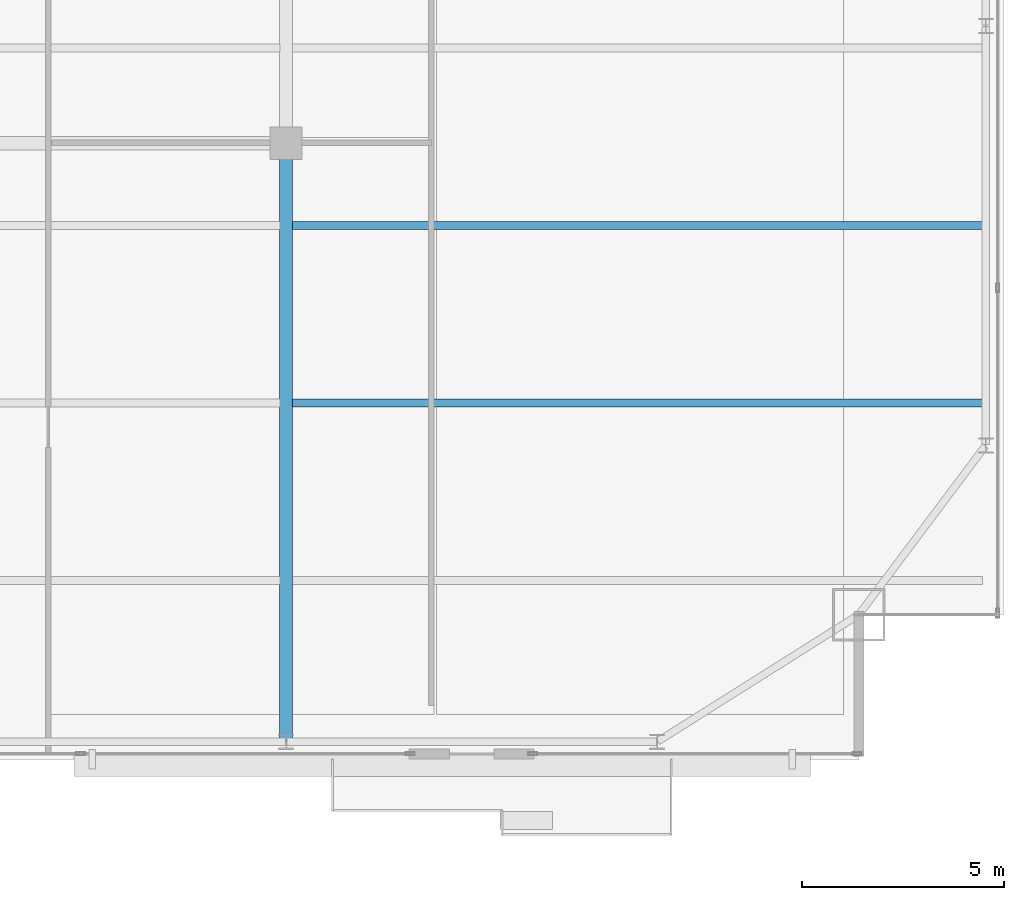
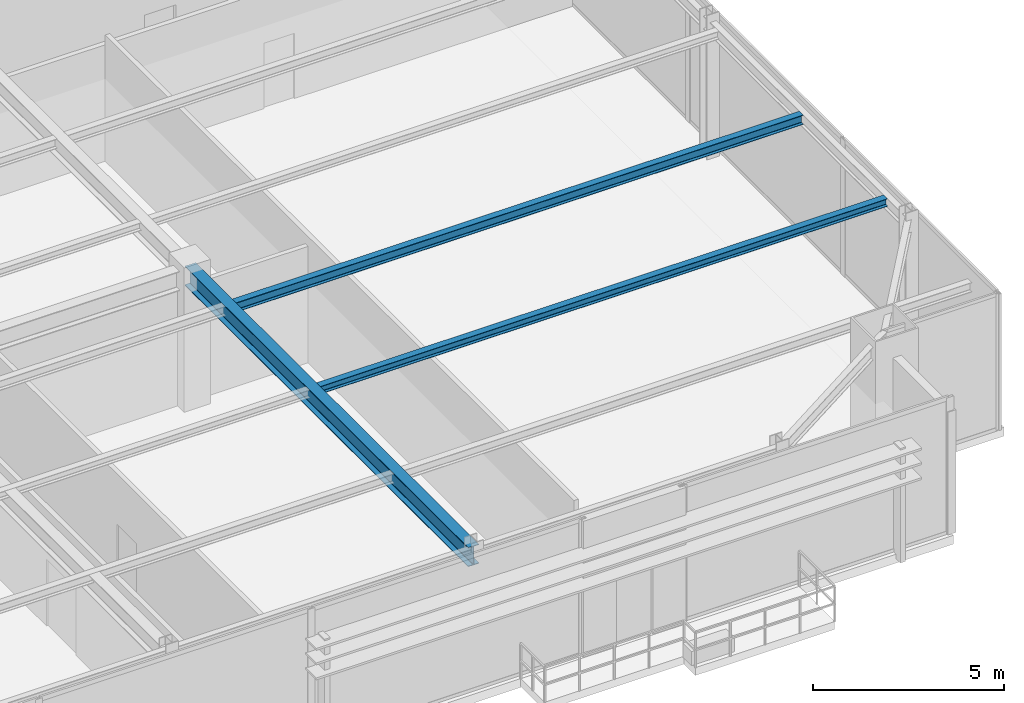
# One storey, part 14 of 25: 3 beams.
"""IFC4 building model written with IfcOpenShell, lengths in metres."""

from ifc_helpers import new_model, si_unit, direction, frame, origin, origin_2d, place, context, subcontext, project, spatial, i_section, extrude, source, transform, mapped, material, material_profile, profile_set, type_object, type_shapes, element, save


model = new_model("IFC4")

# Units and contexts
model_context = context("Model", 3, precision=1e-05, world=origin(), true_north=direction((0.0, 1.0)))
body_context = subcontext(model_context, "Body", "Model", "MODEL_VIEW")
ifc_project = project(units=[si_unit("LENGTHUNIT", "METRE"), si_unit("AREAUNIT", "SQUARE_METRE"), si_unit("VOLUMEUNIT", "CUBIC_METRE"), si_unit("PLANEANGLEUNIT", "RADIAN"), si_unit("MASSUNIT", "GRAM", prefix="KILO")], contexts=[model_context])

# Site, building, storey
site_placement = place(None, origin())
site = spatial("IfcSite", under=ifc_project, at=site_placement, CompositionType="ELEMENT")
building_placement = place(site_placement, origin())
building = spatial("IfcBuilding", under=site, at=building_placement, Name="Varnel Quay Broadcast Tower", CompositionType="ELEMENT")
storey_placement = place(building_placement, frame((0.0, 0.0, 191.39990234375)))
storey = spatial("IfcBuildingStorey", under=building, at=storey_placement, Name="L47", CompositionType="ELEMENT", Elevation=191.39990234375)

# Beams
ifc_material = material(Name="Structural Steel CSA G40.21 350W", Category="steel")
ifc_material_profile_1 = material_profile(ifc_material, i_section(OverallWidth=0.324951171875, OverallDepth=0.615966796875, WebThickness=0.013916015625, FlangeThickness=0.021484375, FilletRadius=0.01611328125, at=origin_2d()), Name="W610X174")
ifc_profile_set_1 = profile_set([ifc_material_profile_1], Name="Structural Steel CSA G40.21 350W")
beam_type_1 = type_object("IfcBeamType", Name="Girder_W610X174", PredefinedType="BEAM", material=ifc_profile_set_1)
shared_shape_1 = source(origin(), body_context, "Body", "SweptSolid", [
    extrude(i_section(OverallWidth=0.324951171875, OverallDepth=0.615966796875, WebThickness=0.013916015625, FlangeThickness=0.021484375, FilletRadius=0.01611328125, at=origin_2d()), origin(), (0.0, 0.0, 1.0), 14.800048828125),
])
type_shapes(beam_type_1, [shared_shape_1])
beam_1_placement = place(storey_placement, frame((43.199951171875, 7.669921875, 4.0419921875), z_axis=(0.0, 1.0, 0.0), x_axis=(-1.0, 0.0, 0.0)))
element("IfcBeam", 1, at=beam_1_placement, inside=storey, type_object=beam_type_1, Name="L47 Primary Girder TC-S4-IC-02", PredefinedType="BEAM", context=body_context, shape_type="MappedRepresentation", body=[
    mapped(shared_shape_1, transform((0.0, 0.0, 0.0), x_axis=(1.0, 0.0, 0.0), y_axis=(0.0, 1.0, 0.0), z_axis=(0.0, 0.0, 1.0), scale=1.0)),
])
ifc_material_profile_2 = material_profile(ifc_material, i_section(OverallWidth=0.202880859375, OverallDepth=0.302978515625, WebThickness=0.007568359375, FlangeThickness=0.01318359375, FilletRadius=0.011962890625, at=origin_2d()), Name="W310X60")
ifc_profile_set_2 = profile_set([ifc_material_profile_2], Name="Structural Steel CSA G40.21 350W")
beam_type_2 = type_object("IfcBeamType", Name="Beam_W310X60", PredefinedType="JOIST", material=ifc_profile_set_2)
shared_shape_2 = source(origin(), body_context, "Body", "SweptSolid", [
    extrude(i_section(OverallWidth=0.202880859375, OverallDepth=0.302978515625, WebThickness=0.007568359375, FlangeThickness=0.01318359375, FilletRadius=0.011962890625, at=origin_2d()), origin(), (0.0, 0.0, 1.0), 17.107177734375),
])
type_shapes(beam_type_2, [shared_shape_2])
beam_2_placement = place(storey_placement, frame((43.357421875, 20.449951171875, 4.198486328125), z_axis=(1.0, 0.0, 0.0), x_axis=(0.0, 1.0, 0.0)))
element("IfcBeam", 2, at=beam_2_placement, inside=storey, type_object=beam_type_2, Name="L47 East Floor Joist 3", PredefinedType="JOIST", context=body_context, shape_type="MappedRepresentation", body=[
    mapped(shared_shape_2, transform((0.0, 0.0, 0.0), x_axis=(1.0, 0.0, 0.0), y_axis=(0.0, 1.0, 0.0), z_axis=(0.0, 0.0, 1.0), scale=1.0)),
])
ifc_material_profile_3 = material_profile(ifc_material, i_section(OverallWidth=0.201904296875, OverallDepth=0.2470703125, WebThickness=0.00732421875, FlangeThickness=0.010986328125, FilletRadius=0.010986328125, at=origin_2d()), Name="W250X49")
ifc_profile_set_3 = profile_set([ifc_material_profile_3], Name="Structural Steel CSA G40.21 350W")
beam_type_3 = type_object("IfcBeamType", Name="Beam_W250X49", PredefinedType="JOIST", material=ifc_profile_set_3)
shared_shape_3 = source(origin(), body_context, "Body", "SweptSolid", [
    extrude(i_section(OverallWidth=0.201904296875, OverallDepth=0.2470703125, WebThickness=0.00732421875, FlangeThickness=0.010986328125, FilletRadius=0.010986328125, at=origin_2d()), origin(), (0.0, 0.0, 1.0), 17.107177734375),
])
type_shapes(beam_type_3, [shared_shape_3])
beam_3_placement = place(storey_placement, frame((43.357421875, 16.050048828125, 4.2265625), z_axis=(1.0, 0.0, 0.0), x_axis=(0.0, 1.0, 0.0)))
element("IfcBeam", 3, at=beam_3_placement, inside=storey, type_object=beam_type_3, Name="L47 East Floor Joist 2", PredefinedType="JOIST", context=body_context, shape_type="MappedRepresentation", body=[
    mapped(shared_shape_3, transform((0.0, 0.0, 0.0), x_axis=(1.0, 0.0, 0.0), y_axis=(0.0, 1.0, 0.0), z_axis=(0.0, 0.0, 1.0), scale=1.0)),
])

save(model, "model.ifc")
